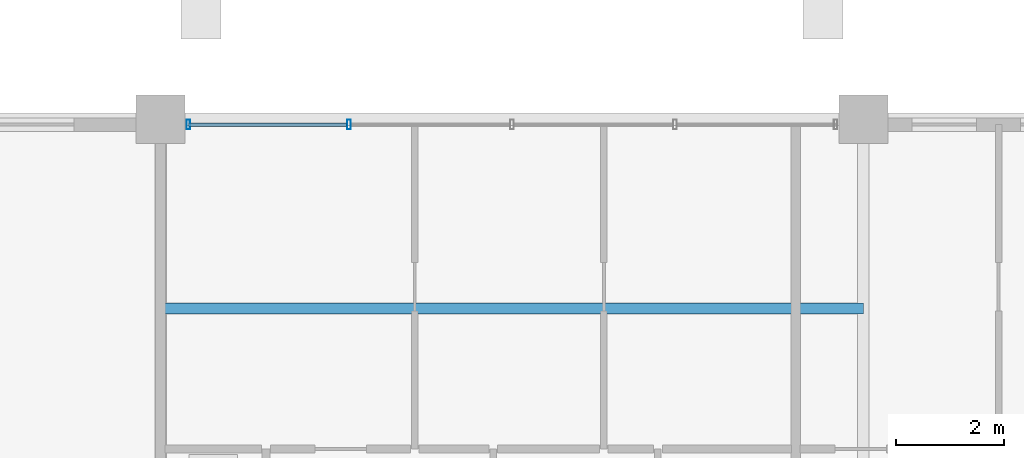
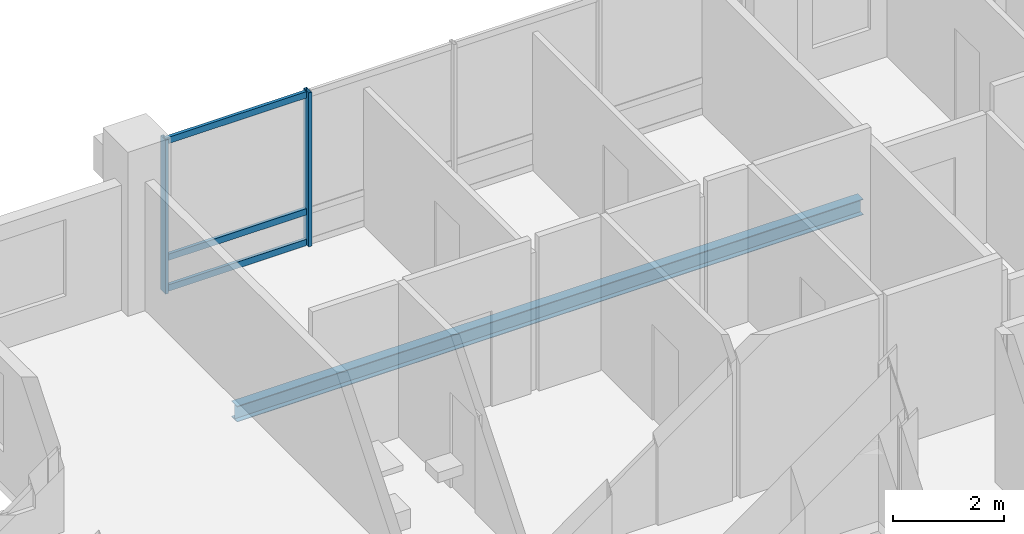
# One storey, part 12 of 22: 5 members, 1 beam, 1 element without a shape of its own.
"""IFC4 building model written with IfcOpenShell, lengths in metres."""

from ifc_helpers import new_model, si_unit, direction, frame, origin, origin_2d, place, context, subcontext, project, spatial, hollow_rectangle, i_section, extrude, material, layer, layer_set, material_profile, profile_set, type_object, element, aggregate, save


model = new_model("IFC4")

# Units and contexts
model_context = context("Model", 3, precision=1e-05, world=origin(), true_north=direction((0.0, 1.0)))
body_context = subcontext(model_context, "Body", "Model", "MODEL_VIEW")
ifc_project = project(units=[si_unit("LENGTHUNIT", "METRE"), si_unit("AREAUNIT", "SQUARE_METRE"), si_unit("VOLUMEUNIT", "CUBIC_METRE"), si_unit("PLANEANGLEUNIT", "RADIAN"), si_unit("MASSUNIT", "GRAM", prefix="KILO")], contexts=[model_context])

# Site, building, storey
site_placement = place(None, origin())
site = spatial("IfcSite", under=ifc_project, at=site_placement, CompositionType="ELEMENT")
building_placement = place(site_placement, origin())
building = spatial("IfcBuilding", under=site, at=building_placement, Name="Barlavira Tower and Art Museum", CompositionType="ELEMENT")
storey_placement = place(building_placement, frame((0.0, 0.0, 243.89990234375)))
storey = spatial("IfcBuildingStorey", under=building, at=storey_placement, Name="L63", CompositionType="ELEMENT", Elevation=243.89990234375)

# Curtain wall, members
ifc_material_1 = material(Name="Low-iron coastal laminated glass", Category="glass")
ifc_layer = layer(ifc_material_1, 0.2099609375, Name="Low-iron coastal laminated glass")
ifc_layer_set = layer_set([ifc_layer], Name="Low-iron coastal laminated glass")
curtain_wall_type = type_object("IfcCurtainWallType", Name="Pale-Metal Unitised Curtain Wall Zone 4", PredefinedType="NOTDEFINED", material=ifc_layer_set)
curtain_wall_placement = place(storey_placement, origin())
curtain_wall = element("IfcCurtainWall", 1, at=curtain_wall_placement, inside=storey, type_object=curtain_wall_type, Name="L63 Curtain Wall CW4-L63-N-B2", PredefinedType="NOTDEFINED")
ifc_material_2 = material(Name="Pale anodised aluminium", Category="aluminium")
ifc_material_profile_1 = material_profile(ifc_material_2, hollow_rectangle(XDim=0.06494140625, YDim=0.179931640625, WallThickness=0.00390625, at=origin_2d()), Name="ALU-MULL 65x180x4")
ifc_profile_set_1 = profile_set([ifc_material_profile_1], Name="Pale anodised aluminium")
member_type_1 = type_object("IfcMemberType", Name="Curtain Wall Pale-Metal Mullion 65x180", PredefinedType="MULLION", material=ifc_profile_set_1)
member_1_placement = place(storey_placement, frame((-3.014892578125, 19.89990234375, 0.0), z_axis=(0.0, 0.0, 1.0), x_axis=(-1.0, 0.0, 0.0)))
member_1 = element("IfcMember", 2, at=member_1_placement, type_object=member_type_1, Name="CW4-L63-N-B2 Mullion 3", PredefinedType="MULLION", context=body_context, shape_type="SweptSolid", body=[
    extrude(hollow_rectangle(XDim=0.06494140625, YDim=0.179931640625, WallThickness=0.00390625, at=origin_2d()), origin(), (0.0, 0.0, 1.0), 3.380126953125),
])
member_2_placement = place(storey_placement, frame((-5.985107421875, 19.89990234375, 0.0), z_axis=(0.0, 0.0, 1.0), x_axis=(-1.0, 0.0, 0.0)))
member_2 = element("IfcMember", 3, at=member_2_placement, type_object=member_type_1, Name="CW4-L63-N-B2 Mullion 4", PredefinedType="MULLION", context=body_context, shape_type="SweptSolid", body=[
    extrude(hollow_rectangle(XDim=0.06494140625, YDim=0.179931640625, WallThickness=0.00390625, at=origin_2d()), origin(), (0.0, 0.0, 1.0), 3.380126953125),
])
ifc_material_profile_2 = material_profile(ifc_material_2, hollow_rectangle(XDim=0.06494140625, YDim=0.139892578125, WallThickness=0.00390625, at=origin_2d()), Name="ALU-TRAN 65x140x4")
ifc_profile_set_2 = profile_set([ifc_material_profile_2], Name="Pale anodised aluminium")
member_type_2 = type_object("IfcMemberType", Name="Curtain Wall Pale-Metal Transom 65x140", PredefinedType="USERDEFINED", material=ifc_profile_set_2)
member_3_placement = place(storey_placement, frame((-3.06005859375, 19.89990234375, 0.070068359375), z_axis=(-1.0, 0.0, 0.0), x_axis=(0.0, -1.0, 0.0)))
member_3 = element("IfcMember", 4, at=member_3_placement, type_object=member_type_2, Name="CW4-L63-N-B2 Transom 3.1", ObjectType="TRANSOM", PredefinedType="USERDEFINED", context=body_context, shape_type="SweptSolid", body=[
    extrude(hollow_rectangle(XDim=0.06494140625, YDim=0.139892578125, WallThickness=0.00390625, at=origin_2d()), origin(), (0.0, 0.0, 1.0), 2.925048828125),
])
member_4_placement = place(storey_placement, frame((-3.06005859375, 19.89990234375, 0.744140625), z_axis=(-1.0, 0.0, 0.0), x_axis=(0.0, -1.0, 0.0)))
member_4 = element("IfcMember", 5, at=member_4_placement, type_object=member_type_2, Name="CW4-L63-N-B2 Transom 3.2", ObjectType="TRANSOM", PredefinedType="USERDEFINED", context=body_context, shape_type="SweptSolid", body=[
    extrude(hollow_rectangle(XDim=0.06494140625, YDim=0.139892578125, WallThickness=0.00390625, at=origin_2d()), origin(), (0.0, 0.0, 1.0), 2.925048828125),
])
member_5_placement = place(storey_placement, frame((-3.06005859375, 19.89990234375, 3.31005859375), z_axis=(-1.0, 0.0, 0.0), x_axis=(0.0, -1.0, 0.0)))
member_5 = element("IfcMember", 6, at=member_5_placement, type_object=member_type_2, Name="CW4-L63-N-B2 Transom 3.3", ObjectType="TRANSOM", PredefinedType="USERDEFINED", context=body_context, shape_type="SweptSolid", body=[
    extrude(hollow_rectangle(XDim=0.06494140625, YDim=0.139892578125, WallThickness=0.00390625, at=origin_2d()), origin(), (0.0, 0.0, 1.0), 2.925048828125),
])
aggregate(curtain_wall, [member_1, member_2, member_3, member_4, member_5])

# Beam
ifc_material_3 = material(Name="Steel S355", Category="steel")
ifc_material_profile_3 = material_profile(ifc_material_3, i_section(OverallWidth=0.202880859375, OverallDepth=0.346923828125, WebThickness=0.0078125, FlangeThickness=0.013427734375, at=origin_2d()), Name="W360x64.0")
ifc_profile_set_3 = profile_set([ifc_material_profile_3], Name="Steel S355")
beam_type = type_object("IfcBeamType", Name="Zone 4 Composite Floor Joist W360x64 Steel S355", PredefinedType="JOIST", material=ifc_profile_set_3)
beam_placement = place(storey_placement, frame((-6.5, 16.5, -0.393310546875), z_axis=(1.0, 0.0, 0.0), x_axis=(0.0, 1.0, 0.0)))
element("IfcBeam", 7, at=beam_placement, inside=storey, type_object=beam_type, Name="L63 Joist C2", PredefinedType="JOIST", context=body_context, shape_type="SweptSolid", body=[
    extrude(i_section(OverallWidth=0.202880859375, OverallDepth=0.346923828125, WebThickness=0.0078125, FlangeThickness=0.013427734375, at=origin_2d()), origin(), (0.0, 0.0, 1.0), 13.0),
])

save(model, "model.ifc")
